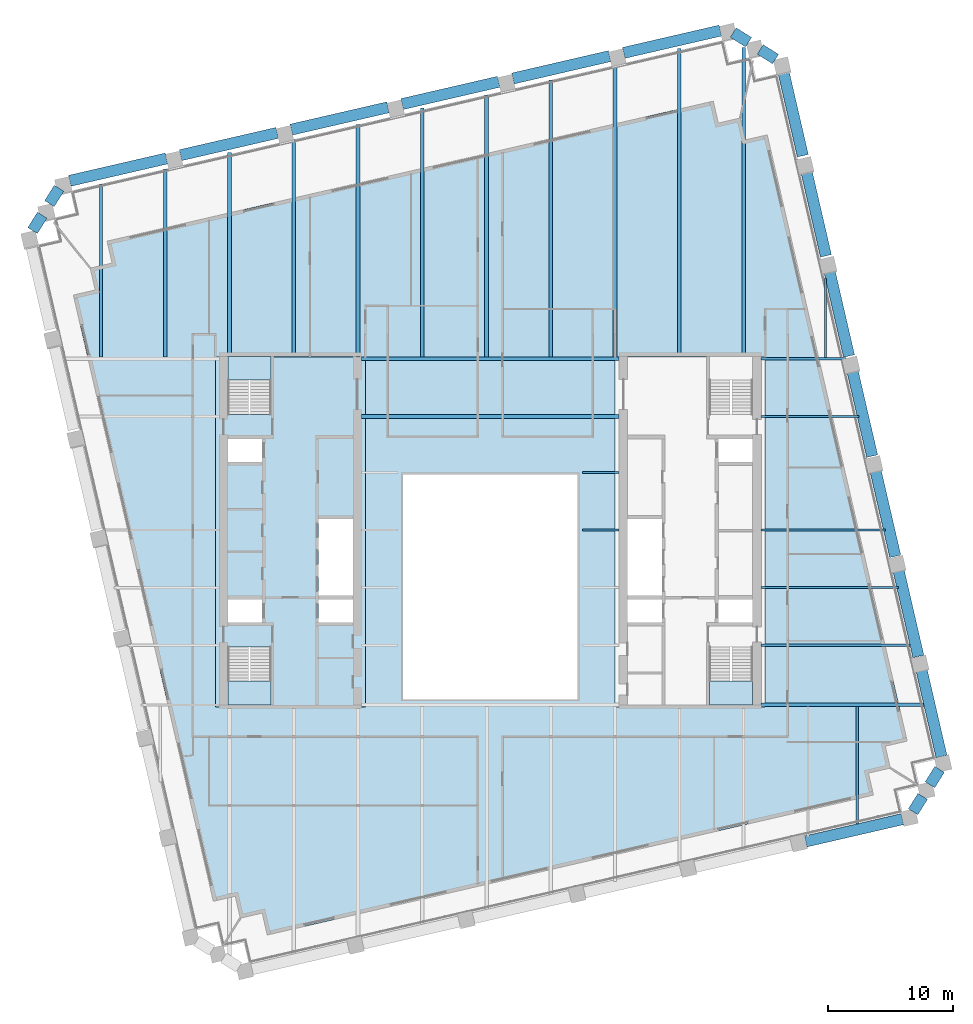
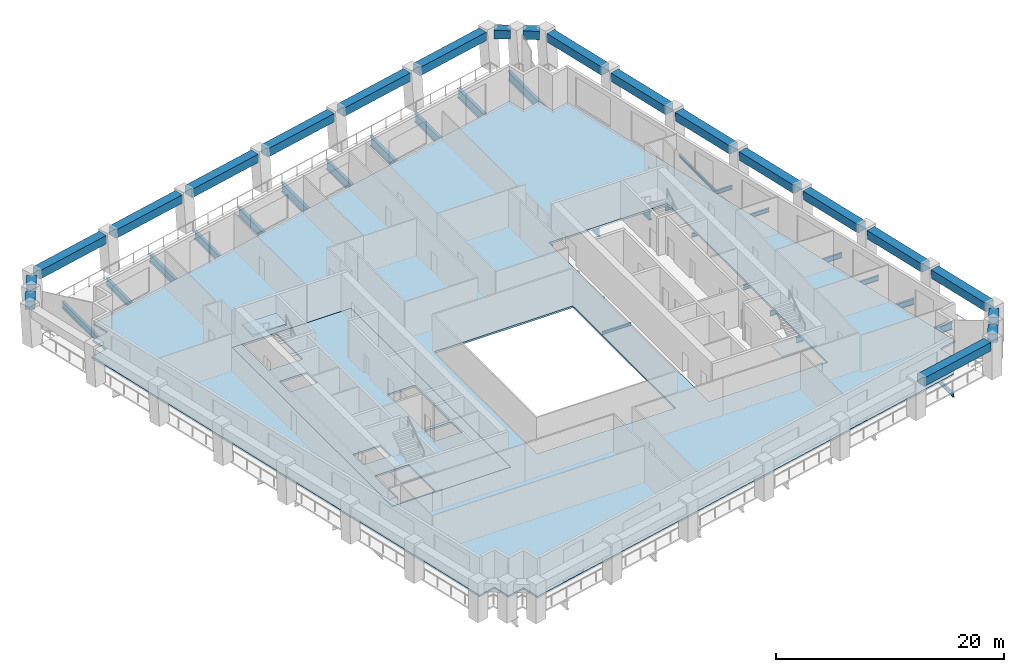
# One storey, part 2 of 10: 43 beams, 5 slabs, 3 elements without a shape of their own.
"""IFC4 building model written with IfcOpenShell, lengths in metres."""

from ifc_helpers import new_model, si_unit, direction, frame, origin, origin_2d, place, context, subcontext, project, spatial, polyline, rectangle, i_section, outline, extrude, material, layer, layer_set, material_profile, profile_set, type_object, element, aggregate, save


model = new_model("IFC4")

# Units and contexts
model_context = context("Model", 3, precision=1e-05, world=origin(), true_north=direction((0.0, 1.0)))
body_context = subcontext(model_context, "Body", "Model", "MODEL_VIEW")
ifc_project = project(units=[si_unit("LENGTHUNIT", "METRE"), si_unit("AREAUNIT", "SQUARE_METRE"), si_unit("VOLUMEUNIT", "CUBIC_METRE"), si_unit("PLANEANGLEUNIT", "RADIAN"), si_unit("MASSUNIT", "GRAM", prefix="KILO")], contexts=[model_context])

# Site, building, storey
site_placement = place(None, origin())
site = spatial("IfcSite", under=ifc_project, at=site_placement, CompositionType="ELEMENT")
building_placement = place(site_placement, origin())
building = spatial("IfcBuilding", under=site, at=building_placement, Name="Ogive Exchange Tower", CompositionType="ELEMENT")
storey_placement = place(building_placement, frame((0.0, 0.0, 196.800048828125)))
storey = spatial("IfcBuildingStorey", under=building, at=storey_placement, Name="L43", CompositionType="ELEMENT", Elevation=196.800048828125)

# Beams
ifc_material_1 = material(Name="Steel ASTM A992 Gr50", Category="steel")
ifc_material_profile_1 = material_profile(ifc_material_1, i_section(OverallWidth=0.300048828125, OverallDepth=0.969970703125, WebThickness=0.01611328125, FlangeThickness=0.02099609375, at=origin_2d()), Name="W1000x222")
ifc_profile_set_1 = profile_set([ifc_material_profile_1], Name="Steel ASTM A992 Gr50")
beam_type_1 = type_object("IfcBeamType", Name="Floor beam W1000x222", PredefinedType="JOIST", material=ifc_profile_set_1)
beam_1_placement = place(storey_placement, frame((-5.4384765625, 25.39501953125, -0.68505859375), z_axis=(0.0, 1.0, 0.0), x_axis=(-1.0, 0.0, 0.0)))
element("IfcBeam", 1, at=beam_1_placement, inside=storey, type_object=beam_type_1, Name="Floor beam", PredefinedType="JOIST", context=body_context, shape_type="SweptSolid", body=[
    extrude(i_section(OverallWidth=0.300048828125, OverallDepth=0.969970703125, WebThickness=0.01611328125, FlangeThickness=0.02099609375, at=origin_2d()), origin(), (0.0, 0.0, 1.0), 19.941162109375),
])
ifc_material_profile_2 = material_profile(ifc_material_1, i_section(OverallWidth=0.300048828125, OverallDepth=0.97998046875, WebThickness=0.0166015625, FlangeThickness=0.026123046875, at=origin_2d()), Name="W1000x249")
ifc_profile_set_2 = profile_set([ifc_material_profile_2], Name="Steel ASTM A992 Gr50")
beam_type_2 = type_object("IfcBeamType", Name="Floor beam W1000x249", PredefinedType="JOIST", material=ifc_profile_set_2)
beam_2_placement = place(storey_placement, frame((-10.320068359375, 20.62255859375, -0.68994140625), z_axis=(1.0, 0.0, 0.0), x_axis=(0.0, 1.0, 0.0)))
element("IfcBeam", 2, at=beam_2_placement, inside=storey, type_object=beam_type_2, Name="Floor beam", PredefinedType="JOIST", context=body_context, shape_type="SweptSolid", body=[
    extrude(i_section(OverallWidth=0.300048828125, OverallDepth=0.97998046875, WebThickness=0.0166015625, FlangeThickness=0.026123046875, at=origin_2d()), origin(), (0.0, 0.0, 1.0), 20.64013671875),
])
beam_3_placement = place(storey_placement, frame((-0.294921875, 25.39501953125, -0.68994140625), z_axis=(0.0, 1.0, 0.0), x_axis=(-1.0, 0.0, 0.0)))
element("IfcBeam", 3, at=beam_3_placement, inside=storey, type_object=beam_type_2, Name="Floor beam", PredefinedType="JOIST", context=body_context, shape_type="SweptSolid", body=[
    extrude(i_section(OverallWidth=0.300048828125, OverallDepth=0.97998046875, WebThickness=0.0166015625, FlangeThickness=0.026123046875, at=origin_2d()), origin(), (0.0, 0.0, 1.0), 20.978759765625),
])
beam_4_placement = place(storey_placement, frame((4.8486328125, 25.39501953125, -0.68994140625), z_axis=(0.0, 1.0, 0.0), x_axis=(-1.0, 0.0, 0.0)))
element("IfcBeam", 4, at=beam_4_placement, inside=storey, type_object=beam_type_2, Name="Floor beam", PredefinedType="JOIST", context=body_context, shape_type="SweptSolid", body=[
    extrude(i_section(OverallWidth=0.300048828125, OverallDepth=0.97998046875, WebThickness=0.0166015625, FlangeThickness=0.026123046875, at=origin_2d()), origin(), (0.0, 0.0, 1.0), 22.166259765625),
])
beam_5_placement = place(storey_placement, frame((9.9921875, 25.39501953125, -0.68994140625), z_axis=(0.0, 1.0, 0.0), x_axis=(-1.0, 0.0, 0.0)))
element("IfcBeam", 5, at=beam_5_placement, inside=storey, type_object=beam_type_2, Name="Floor beam", PredefinedType="JOIST", context=body_context, shape_type="SweptSolid", body=[
    extrude(i_section(OverallWidth=0.300048828125, OverallDepth=0.97998046875, WebThickness=0.0166015625, FlangeThickness=0.026123046875, at=origin_2d()), origin(), (0.0, 0.0, 1.0), 23.353515625),
])
beam_6_placement = place(storey_placement, frame((15.135498046875, 25.39990234375, -0.68994140625), z_axis=(0.0, 1.0, 0.0), x_axis=(-1.0, 0.0, 0.0)))
element("IfcBeam", 6, at=beam_6_placement, inside=storey, type_object=beam_type_2, Name="Floor beam", PredefinedType="JOIST", context=body_context, shape_type="SweptSolid", body=[
    extrude(i_section(OverallWidth=0.300048828125, OverallDepth=0.97998046875, WebThickness=0.0166015625, FlangeThickness=0.026123046875, at=origin_2d()), origin(), (0.0, 0.0, 1.0), 24.686279296875),
])
beam_7_placement = place(storey_placement, frame((20.279052734375, 25.39990234375, -0.68994140625), z_axis=(0.0, 1.0, 0.0), x_axis=(-1.0, 0.0, 0.0)))
element("IfcBeam", 7, at=beam_7_placement, inside=storey, type_object=beam_type_2, Name="Floor beam", PredefinedType="JOIST", context=body_context, shape_type="SweptSolid", body=[
    extrude(i_section(OverallWidth=0.300048828125, OverallDepth=0.97998046875, WebThickness=0.0166015625, FlangeThickness=0.026123046875, at=origin_2d()), origin(), (0.0, 0.0, 1.0), 24.76123046875),
])
ifc_material_profile_3 = material_profile(ifc_material_1, i_section(OverallWidth=0.1650390625, OverallDepth=0.31005859375, WebThickness=0.005859375, FlangeThickness=0.009765625, at=origin_2d()), Name="W310x38.7")
ifc_profile_set_3 = profile_set([ifc_material_profile_3], Name="Steel ASTM A992 Gr50")
beam_type_3 = type_object("IfcBeamType", Name="Floor beam W310x38.7", PredefinedType="JOIST", material=ifc_profile_set_3)
beam_8_placement = place(storey_placement, frame((7.3701171875, 11.543701171875, -0.35498046875), z_axis=(1.0, 0.0, 0.0), x_axis=(0.0, 1.0, 0.0)))
element("IfcBeam", 8, at=beam_8_placement, inside=storey, type_object=beam_type_3, Name="Floor beam", PredefinedType="JOIST", context=body_context, shape_type="SweptSolid", body=[
    extrude(i_section(OverallWidth=0.1650390625, OverallDepth=0.31005859375, WebThickness=0.005859375, FlangeThickness=0.009765625, at=origin_2d()), origin(), (0.0, 0.0, 1.0), 2.949951171875),
])
beam_9_placement = place(storey_placement, frame((26.822509765625, 25.333984375, -0.35498046875), z_axis=(0.0, 1.0, 0.0), x_axis=(-1.0, 0.0, 0.0)))
element("IfcBeam", 9, at=beam_9_placement, inside=storey, type_object=beam_type_3, Name="Floor beam", PredefinedType="JOIST", context=body_context, shape_type="SweptSolid", body=[
    extrude(i_section(OverallWidth=0.1650390625, OverallDepth=0.31005859375, WebThickness=0.005859375, FlangeThickness=0.009765625, at=origin_2d()), origin(), (0.0, 0.0, 1.0), 6.347900390625),
])
ifc_material_profile_4 = material_profile(ifc_material_1, i_section(OverallWidth=0.177978515625, OverallDepth=0.406005859375, WebThickness=0.0078125, FlangeThickness=0.0126953125, at=origin_2d()), Name="W410x60")
ifc_profile_set_4 = profile_set([ifc_material_profile_4], Name="Steel ASTM A992 Gr50")
beam_type_4 = type_object("IfcBeamType", Name="Floor beam W410x60", PredefinedType="JOIST", material=ifc_profile_set_4)
beam_10_placement = place(storey_placement, frame((21.679931640625, 20.62255859375, -0.403076171875), z_axis=(1.0, 0.0, 0.0), x_axis=(0.0, 1.0, 0.0)))
element("IfcBeam", 10, at=beam_10_placement, inside=storey, type_object=beam_type_4, Name="Floor beam", PredefinedType="JOIST", context=body_context, shape_type="SweptSolid", body=[
    extrude(i_section(OverallWidth=0.177978515625, OverallDepth=0.406005859375, WebThickness=0.0078125, FlangeThickness=0.0126953125, at=origin_2d()), origin(), (0.0, 0.0, 1.0), 7.845703125),
])
ifc_material_profile_5 = material_profile(ifc_material_1, i_section(OverallWidth=0.19091796875, OverallDepth=0.45703125, WebThickness=0.009033203125, FlangeThickness=0.014404296875, at=origin_2d()), Name="W460x74")
ifc_profile_set_5 = profile_set([ifc_material_profile_5], Name="Steel ASTM A992 Gr50")
beam_type_5 = type_object("IfcBeamType", Name="Floor beam W460x74", PredefinedType="JOIST", material=ifc_profile_set_5)
beam_11_placement = place(storey_placement, frame((29.365966796875, -11.97119140625, -0.428466796875), z_axis=(0.0, 1.0, 0.0), x_axis=(-1.0, 0.0, 0.0)))
element("IfcBeam", 11, at=beam_11_placement, inside=storey, type_object=beam_type_5, Name="Floor beam", PredefinedType="JOIST", context=body_context, shape_type="SweptSolid", body=[
    extrude(i_section(OverallWidth=0.19091796875, OverallDepth=0.45703125, WebThickness=0.009033203125, FlangeThickness=0.014404296875, at=origin_2d()), origin(), (0.0, 0.0, 1.0), 9.392578125),
])
ifc_material_profile_6 = material_profile(ifc_material_1, i_section(OverallWidth=0.1669921875, OverallDepth=0.535888671875, WebThickness=0.01025390625, FlangeThickness=0.0166015625, at=origin_2d()), Name="W530x85")
ifc_profile_set_6 = profile_set([ifc_material_profile_6], Name="Steel ASTM A992 Gr50")
beam_type_6 = type_object("IfcBeamType", Name="Floor beam W530x85", PredefinedType="JOIST", material=ifc_profile_set_6)
beam_12_placement = place(storey_placement, frame((21.679931640625, 6.9326171875, -0.468017578125), z_axis=(1.0, 0.0, 0.0), x_axis=(0.0, 1.0, 0.0)))
element("IfcBeam", 12, at=beam_12_placement, inside=storey, type_object=beam_type_6, Name="Floor beam", PredefinedType="JOIST", context=body_context, shape_type="SweptSolid", body=[
    extrude(i_section(OverallWidth=0.1669921875, OverallDepth=0.535888671875, WebThickness=0.01025390625, FlangeThickness=0.0166015625, at=origin_2d()), origin(), (0.0, 0.0, 1.0), 11.00634765625),
])
beam_13_placement = place(storey_placement, frame((21.679931640625, 11.543701171875, -0.468017578125), z_axis=(1.0, 0.0, 0.0), x_axis=(0.0, 1.0, 0.0)))
element("IfcBeam", 13, at=beam_13_placement, inside=storey, type_object=beam_type_6, Name="Floor beam", PredefinedType="JOIST", context=body_context, shape_type="SweptSolid", body=[
    extrude(i_section(OverallWidth=0.1669921875, OverallDepth=0.535888671875, WebThickness=0.01025390625, FlangeThickness=0.0166015625, at=origin_2d()), origin(), (0.0, 0.0, 1.0), 9.941650390625),
])
ifc_material_profile_7 = material_profile(ifc_material_1, i_section(OverallWidth=0.22802734375, OverallDepth=0.60205078125, WebThickness=0.010498046875, FlangeThickness=0.014892578125, at=origin_2d()), Name="W610x101")
ifc_profile_set_7 = profile_set([ifc_material_profile_7], Name="Steel ASTM A992 Gr50")
beam_type_7 = type_object("IfcBeamType", Name="Floor beam W610x101", PredefinedType="JOIST", material=ifc_profile_set_7)
beam_14_placement = place(storey_placement, frame((21.679931640625, 2.3212890625, -0.5009765625), z_axis=(1.0, 0.0, 0.0), x_axis=(0.0, 1.0, 0.0)))
element("IfcBeam", 14, at=beam_14_placement, inside=storey, type_object=beam_type_7, Name="Floor beam", PredefinedType="JOIST", context=body_context, shape_type="SweptSolid", body=[
    extrude(i_section(OverallWidth=0.22802734375, OverallDepth=0.60205078125, WebThickness=0.010498046875, FlangeThickness=0.014892578125, at=origin_2d()), origin(), (0.0, 0.0, 1.0), 11.9208984375),
])
ifc_material_profile_8 = material_profile(ifc_material_1, i_section(OverallWidth=0.25390625, OverallDepth=0.677978515625, WebThickness=0.01171875, FlangeThickness=0.016357421875, at=origin_2d()), Name="W690x125")
ifc_profile_set_8 = profile_set([ifc_material_profile_8], Name="Steel ASTM A992 Gr50")
beam_type_8 = type_object("IfcBeamType", Name="Floor beam W690x125", PredefinedType="JOIST", material=ifc_profile_set_8)
beam_15_placement = place(storey_placement, frame((-31.15576171875, 25.37841796875, -0.5390625), z_axis=(0.0, 1.0, 0.0), x_axis=(-1.0, 0.0, 0.0)))
element("IfcBeam", 15, at=beam_15_placement, inside=storey, type_object=beam_type_8, Name="Floor beam", PredefinedType="JOIST", context=body_context, shape_type="SweptSolid", body=[
    extrude(i_section(OverallWidth=0.25390625, OverallDepth=0.677978515625, WebThickness=0.01171875, FlangeThickness=0.016357421875, at=origin_2d()), origin(), (0.0, 0.0, 1.0), 13.870361328125),
])
ifc_material_profile_9 = material_profile(ifc_material_1, i_section(OverallWidth=0.26708984375, OverallDepth=0.75390625, WebThickness=0.01318359375, FlangeThickness=0.01708984375, at=origin_2d()), Name="W760x147")
ifc_profile_set_9 = profile_set([ifc_material_profile_9], Name="Steel ASTM A992 Gr50")
beam_type_9 = type_object("IfcBeamType", Name="Floor beam W760x147", PredefinedType="JOIST", material=ifc_profile_set_9)
beam_16_placement = place(storey_placement, frame((-26.01220703125, 25.37841796875, -0.5771484375), z_axis=(0.0, 1.0, 0.0), x_axis=(-1.0, 0.0, 0.0)))
element("IfcBeam", 16, at=beam_16_placement, inside=storey, type_object=beam_type_9, Name="Floor beam", PredefinedType="JOIST", context=body_context, shape_type="SweptSolid", body=[
    extrude(i_section(OverallWidth=0.26708984375, OverallDepth=0.75390625, WebThickness=0.01318359375, FlangeThickness=0.01708984375, at=origin_2d()), origin(), (0.0, 0.0, 1.0), 15.057861328125),
])
ifc_material_profile_10 = material_profile(ifc_material_1, i_section(OverallWidth=0.2919921875, OverallDepth=0.8359375, WebThickness=0.013916015625, FlangeThickness=0.018798828125, at=origin_2d()), Name="W840x176")
ifc_profile_set_10 = profile_set([ifc_material_profile_10], Name="Steel ASTM A992 Gr50")
beam_type_10 = type_object("IfcBeamType", Name="Floor beam W840x176", PredefinedType="JOIST", material=ifc_profile_set_10)
beam_17_placement = place(storey_placement, frame((-20.868896484375, 25.39990234375, -0.6181640625), z_axis=(0.0, 1.0, 0.0), x_axis=(-1.0, 0.0, 0.0)))
element("IfcBeam", 17, at=beam_17_placement, inside=storey, type_object=beam_type_10, Name="Floor beam", PredefinedType="JOIST", context=body_context, shape_type="SweptSolid", body=[
    extrude(i_section(OverallWidth=0.2919921875, OverallDepth=0.8359375, WebThickness=0.013916015625, FlangeThickness=0.018798828125, at=origin_2d()), origin(), (0.0, 0.0, 1.0), 16.373779296875),
])
beam_18_placement = place(storey_placement, frame((-15.725341796875, 25.39990234375, -0.6181640625), z_axis=(0.0, 1.0, 0.0), x_axis=(-1.0, 0.0, 0.0)))
element("IfcBeam", 18, at=beam_18_placement, inside=storey, type_object=beam_type_10, Name="Floor beam", PredefinedType="JOIST", context=body_context, shape_type="SweptSolid", body=[
    extrude(i_section(OverallWidth=0.2919921875, OverallDepth=0.8359375, WebThickness=0.013916015625, FlangeThickness=0.018798828125, at=origin_2d()), origin(), (0.0, 0.0, 1.0), 17.411376953125),
])
ifc_material_profile_11 = material_profile(ifc_material_1, i_section(OverallWidth=0.304931640625, OverallDepth=0.904052734375, WebThickness=0.01513671875, FlangeThickness=0.02001953125, at=origin_2d()), Name="W920x201")
ifc_profile_set_11 = profile_set([ifc_material_profile_11], Name="Steel ASTM A992 Gr50")
beam_type_11 = type_object("IfcBeamType", Name="Floor beam W920x201", PredefinedType="JOIST", material=ifc_profile_set_11)
beam_19_placement = place(storey_placement, frame((-10.581787109375, 25.39990234375, -0.652099609375), z_axis=(0.0, 1.0, 0.0), x_axis=(-1.0, 0.0, 0.0)))
element("IfcBeam", 19, at=beam_19_placement, inside=storey, type_object=beam_type_11, Name="Floor beam", PredefinedType="JOIST", context=body_context, shape_type="SweptSolid", body=[
    extrude(i_section(OverallWidth=0.304931640625, OverallDepth=0.904052734375, WebThickness=0.01513671875, FlangeThickness=0.02001953125, at=origin_2d()), origin(), (0.0, 0.0, 1.0), 18.598876953125),
])
ifc_material_profile_12 = material_profile(ifc_material_1, i_section(OverallWidth=0.300048828125, OverallDepth=0.97998046875, WebThickness=0.0166015625, FlangeThickness=0.026123046875, at=origin_2d()), Name="W1000x249")
ifc_profile_set_12 = profile_set([ifc_material_profile_12], Name="Steel ASTM A992 Gr50")
beam_type_12 = type_object("IfcBeamType", Name="Girder W1000x249", PredefinedType="BEAM", material=ifc_profile_set_12)
beam_20_placement = place(storey_placement, frame((-10.320068359375, 25.2451171875, -0.68994140625), z_axis=(1.0, 0.0, 0.0), x_axis=(0.0, 1.0, 0.0)))
element("IfcBeam", 20, at=beam_20_placement, inside=storey, type_object=beam_type_12, Name="Header girder", PredefinedType="BEAM", context=body_context, shape_type="SweptSolid", body=[
    extrude(i_section(OverallWidth=0.300048828125, OverallDepth=0.97998046875, WebThickness=0.0166015625, FlangeThickness=0.026123046875, at=origin_2d()), origin(), (0.0, 0.0, 1.0), 20.64013671875),
])
ifc_material_profile_13 = material_profile(ifc_material_1, i_section(OverallWidth=0.1650390625, OverallDepth=0.31005859375, WebThickness=0.005859375, FlangeThickness=0.009765625, at=origin_2d()), Name="W310x38.7")
ifc_profile_set_13 = profile_set([ifc_material_profile_13], Name="Steel ASTM A992 Gr50")
beam_type_13 = type_object("IfcBeamType", Name="Girder W310x38.7", PredefinedType="BEAM", material=ifc_profile_set_13)
beam_21_placement = place(storey_placement, frame((7.3701171875, 16.155029296875, -0.35498046875), z_axis=(1.0, 0.0, 0.0), x_axis=(0.0, 1.0, 0.0)))
element("IfcBeam", 21, at=beam_21_placement, inside=storey, type_object=beam_type_13, Name="Trimmer girder", PredefinedType="BEAM", context=body_context, shape_type="SweptSolid", body=[
    extrude(i_section(OverallWidth=0.1650390625, OverallDepth=0.31005859375, WebThickness=0.005859375, FlangeThickness=0.009765625, at=origin_2d()), origin(), (0.0, 0.0, 1.0), 2.949951171875),
])
ifc_material_profile_14 = material_profile(ifc_material_1, i_section(OverallWidth=0.177978515625, OverallDepth=0.406005859375, WebThickness=0.0078125, FlangeThickness=0.0126953125, at=origin_2d()), Name="W410x60")
ifc_profile_set_14 = profile_set([ifc_material_profile_14], Name="Steel ASTM A992 Gr50")
beam_type_14 = type_object("IfcBeamType", Name="Girder W410x60", PredefinedType="BEAM", material=ifc_profile_set_14)
beam_22_placement = place(storey_placement, frame((21.679931640625, 25.2451171875, -0.403076171875), z_axis=(1.0, 0.0, 0.0), x_axis=(0.0, 1.0, 0.0)))
element("IfcBeam", 22, at=beam_22_placement, inside=storey, type_object=beam_type_14, Name="Header girder", PredefinedType="BEAM", context=body_context, shape_type="SweptSolid", body=[
    extrude(i_section(OverallWidth=0.177978515625, OverallDepth=0.406005859375, WebThickness=0.0078125, FlangeThickness=0.0126953125, at=origin_2d()), origin(), (0.0, 0.0, 1.0), 6.778564453125),
])
ifc_material_profile_15 = material_profile(ifc_material_1, i_section(OverallWidth=0.26708984375, OverallDepth=0.75390625, WebThickness=0.01318359375, FlangeThickness=0.01708984375, at=origin_2d()), Name="W760x147")
ifc_profile_set_15 = profile_set([ifc_material_profile_15], Name="Steel ASTM A992 Gr50")
beam_type_15 = type_object("IfcBeamType", Name="Girder W760x147", PredefinedType="BEAM", material=ifc_profile_set_15)
beam_23_placement = place(storey_placement, frame((21.679931640625, -2.445068359375, -0.5771484375), z_axis=(1.0, 0.0, 0.0), x_axis=(0.0, 1.0, 0.0)))
element("IfcBeam", 23, at=beam_23_placement, inside=storey, type_object=beam_type_15, Name="Header girder", PredefinedType="BEAM", context=body_context, shape_type="SweptSolid", body=[
    extrude(i_section(OverallWidth=0.26708984375, OverallDepth=0.75390625, WebThickness=0.01318359375, FlangeThickness=0.01708984375, at=origin_2d()), origin(), (0.0, 0.0, 1.0), 13.021484375),
])
ifc_material_2 = material(Name="Precast concrete C70/85 (limestone faced)", Category="masonry")
ifc_material_profile_16 = material_profile(ifc_material_2, rectangle(XDim=0.89990234375, YDim=0.89990234375, at=origin_2d()), Name="900 x 900")
ifc_profile_set_16 = profile_set([ifc_material_profile_16], Name="Precast concrete C70/85 (limestone faced)")
beam_type_16 = type_object("IfcBeamType", Name="Precast spandrel 900 x 900 C70/85", PredefinedType="SPANDREL", material=ifc_profile_set_16)
beam_24_placement = place(storey_placement, frame((25.249755859375, -13.383544921875, 3.5), z_axis=(0.974368388194, 0.224958316335, 0.0), x_axis=(-0.224958316335, 0.974368388194, 0.0)))
element("IfcBeam", 24, at=beam_24_placement, inside=storey, type_object=beam_type_16, Name="Spandrel 6", PredefinedType="SPANDREL", context=body_context, shape_type="SweptSolid", body=[
    extrude(rectangle(XDim=0.89990234375, YDim=0.89990234375, at=origin_2d()), origin(), (0.0, 0.0, 1.0), 7.93994140625),
])
for number, where, z_axis, x_axis, name in (
    (25, (33.842041015625, -11.001708984375, 3.5), (0.529877740036, 0.848074041941, 0.0), (-0.848074041941, 0.529877740036, 0.0), "Spandrel 7"),
    (26, (35.19091796875, -8.843017578125, 3.5), (0.529877740036, 0.848074041941, 0.0), (-0.848074041941, 0.529877740036, 0.0), "Spandrel 8"),
):
    element("IfcBeam", number, at=place(storey_placement, frame(where, z_axis=z_axis, x_axis=x_axis)), inside=storey, type_object=beam_type_16, Name=name, PredefinedType="SPANDREL", context=body_context, shape_type="SweptSolid", body=[
        extrude(rectangle(XDim=0.89990234375, YDim=0.89990234375, at=origin_2d()), origin(), (0.0, 0.0, 1.0), 1.448486328125),
    ])
for number, where, z_axis, x_axis, name in (
    (27, (36.11865234375, -6.584228515625, 3.5), (-0.224925123797, 0.97437605096, 0.0), (-0.97437605096, -0.224925123797, 0.0), "Spandrel 9"),
    (28, (34.2685546875, 1.429931640625, 3.5), (-0.224957931198, 0.974368477113, 0.0), (-0.974368477113, -0.224957931198, 0.0), "Spandrel 10"),
):
    element("IfcBeam", number, at=place(storey_placement, frame(where, z_axis=z_axis, x_axis=x_axis)), inside=storey, type_object=beam_type_16, Name=name, PredefinedType="SPANDREL", context=body_context, shape_type="SweptSolid", body=[
        extrude(rectangle(XDim=0.89990234375, YDim=0.89990234375, at=origin_2d()), origin(), (0.0, 0.0, 1.0), 7.065185546875),
    ])
beam_25_placement = place(storey_placement, frame((32.418212890625, 9.444091796875, 3.5), z_axis=(-0.224932697399, 0.974374302638, 0.0), x_axis=(-0.974374302638, -0.224932697399, 0.0)))
element("IfcBeam", 29, at=beam_25_placement, inside=storey, type_object=beam_type_16, Name="Spandrel 11", PredefinedType="SPANDREL", context=body_context, shape_type="SweptSolid", body=[
    extrude(rectangle(XDim=0.89990234375, YDim=0.89990234375, at=origin_2d()), origin(), (0.0, 0.0, 1.0), 7.06494140625),
])
for number, where, z_axis, x_axis, name in (
    (30, (30.568115234375, 17.458251953125, 3.5), (-0.224957931198, 0.974368477113, 0.0), (-0.974368477113, -0.224957931198, 0.0), "Spandrel 12"),
    (31, (28.718017578125, 25.472412109375, 3.5), (-0.224957931198, 0.974368477113, 0.0), (-0.974368477113, -0.224957931198, 0.0), "Spandrel 13"),
    (32, (26.86767578125, 33.486572265625, 3.5), (-0.224957931198, 0.974368477113, 0.0), (-0.974368477113, -0.224957931198, 0.0), "Spandrel 14"),
    (33, (25.017333984375, 41.500732421875, 3.5), (-0.224925123797, 0.97437605096, 0.0), (-0.97437605096, -0.224925123797, 0.0), "Spandrel 15"),
):
    element("IfcBeam", number, at=place(storey_placement, frame(where, z_axis=z_axis, x_axis=x_axis)), inside=storey, type_object=beam_type_16, Name=name, PredefinedType="SPANDREL", context=body_context, shape_type="SweptSolid", body=[
        extrude(rectangle(XDim=0.89990234375, YDim=0.89990234375, at=origin_2d()), origin(), (0.0, 0.0, 1.0), 7.065185546875),
    ])
for number, where, z_axis, x_axis, name in (
    (34, (22.83251953125, 49.240478515625, 3.5), (-0.848074041941, 0.529877740036, 0.0), (-0.529877740036, -0.848074041941, 0.0), "Spandrel 16"),
    (35, (20.673583984375, 50.589599609375, 3.5), (-0.848026711821, 0.529953484787, 0.0), (-0.529953484787, -0.848026711821, 0.0), "Spandrel 17"),
):
    element("IfcBeam", number, at=place(storey_placement, frame(where, z_axis=z_axis, x_axis=x_axis)), inside=storey, type_object=beam_type_16, Name=name, PredefinedType="SPANDREL", context=body_context, shape_type="SweptSolid", body=[
        extrude(rectangle(XDim=0.89990234375, YDim=0.89990234375, at=origin_2d()), origin(), (0.0, 0.0, 1.0), 1.448486328125),
    ])
beam_26_placement = place(storey_placement, frame((18.4150390625, 51.517333984375, 3.5), z_axis=(-0.974369944206, -0.224951576629, 0.0), x_axis=(0.224951576629, -0.974369944206, 0.0)))
element("IfcBeam", 36, at=beam_26_placement, inside=storey, type_object=beam_type_16, Name="Spandrel 18", PredefinedType="SPANDREL", context=body_context, shape_type="SweptSolid", body=[
    extrude(rectangle(XDim=0.89990234375, YDim=0.89990234375, at=origin_2d()), origin(), (0.0, 0.0, 1.0), 7.940185546875),
])
beam_27_placement = place(storey_placement, frame((9.548095703125, 49.47021484375, 3.5), z_axis=(-0.974368388194, -0.224958316335, 0.0), x_axis=(0.224958316335, -0.974368388194, 0.0)))
element("IfcBeam", 37, at=beam_27_placement, inside=storey, type_object=beam_type_16, Name="Spandrel 19", PredefinedType="SPANDREL", context=body_context, shape_type="SweptSolid", body=[
    extrude(rectangle(XDim=0.89990234375, YDim=0.89990234375, at=origin_2d()), origin(), (0.0, 0.0, 1.0), 7.93994140625),
])
beam_28_placement = place(storey_placement, frame((0.681396484375, 47.423095703125, 3.5), z_axis=(-0.974375127705, -0.224929123301, 0.0), x_axis=(0.224929123301, -0.974375127705, 0.0)))
element("IfcBeam", 38, at=beam_28_placement, inside=storey, type_object=beam_type_16, Name="Spandrel 20", PredefinedType="SPANDREL", context=body_context, shape_type="SweptSolid", body=[
    extrude(rectangle(XDim=0.89990234375, YDim=0.89990234375, at=origin_2d()), origin(), (0.0, 0.0, 1.0), 7.939697265625),
])
for number, where, z_axis, x_axis, name in (
    (39, (-8.185302734375, 45.376220703125, 3.5), (-0.974369944206, -0.224951576629, 0.0), (0.224951576629, -0.974369944206, 0.0), "Spandrel 21"),
    (40, (-17.052001953125, 43.3291015625, 3.5), (-0.974369944206, -0.224951576629, 0.0), (0.224951576629, -0.974369944206, 0.0), "Spandrel 22"),
    (41, (-25.918701171875, 41.281982421875, 3.5), (-0.974369944206, -0.224951576629, 0.0), (0.224951576629, -0.974369944206, 0.0), "Spandrel 23"),
):
    element("IfcBeam", number, at=place(storey_placement, frame(where, z_axis=z_axis, x_axis=x_axis)), inside=storey, type_object=beam_type_16, Name=name, PredefinedType="SPANDREL", context=body_context, shape_type="SweptSolid", body=[
        extrude(rectangle(XDim=0.89990234375, YDim=0.89990234375, at=origin_2d()), origin(), (0.0, 0.0, 1.0), 7.940185546875),
    ])
for number, where, z_axis, x_axis, name in (
    (42, (-34.510986328125, 38.900146484375, 3.5), (-0.530074688545, -0.847950956461, 0.0), (0.847950956461, -0.530074688545, 0.0), "Spandrel 24"),
    (43, (-35.860107421875, 36.741455078125, 3.5), (-0.529877740036, -0.848074041941, 0.0), (0.848074041941, -0.529877740036, 0.0), "Spandrel 25"),
):
    element("IfcBeam", number, at=place(storey_placement, frame(where, z_axis=z_axis, x_axis=x_axis)), inside=storey, type_object=beam_type_16, Name=name, PredefinedType="SPANDREL", context=body_context, shape_type="SweptSolid", body=[
        extrude(rectangle(XDim=0.89990234375, YDim=0.89990234375, at=origin_2d()), origin(), (0.0, 0.0, 1.0), 1.448486328125),
    ])

# Slabs
ifc_material_3 = material(Name="Concrete C50/60", Category="concrete")
ifc_layer_1 = layer(ifc_material_3, 0.199951171875)
ifc_layer_set_1 = layer_set([ifc_layer_1], Name="Composite floor slab 200")
slab_type_1 = type_object("IfcSlabType", Name="Composite floor slab 200", PredefinedType="FLOOR", material=ifc_layer_set_1)
slab_1_placement = place(storey_placement, frame((0.0, 0.0, -0.199951171875)))
element("IfcSlab", 44, at=slab_1_placement, inside=storey, type_object=slab_type_1, Name="Composite floor slab", PredefinedType="FLOOR", context=body_context, shape_type="SweptSolid", body=[
    extrude(outline(polyline([(-18.255615234375, -19.116943359375), (-20.009521484375, -19.52197265625), (-20.414306640625, -17.76806640625), (-22.168212890625, -18.1728515625), (-33.370849609375, 30.3505859375), (-31.616943359375, 30.755615234375), (-32.02197265625, 32.509521484375), (-30.26806640625, 32.914306640625), (-30.6728515625, 34.668212890625), (17.8505859375, 45.870849609375), (18.255615234375, 44.116943359375), (20.009521484375, 44.52197265625), (20.414306640625, 42.76806640625), (22.168212890625, 43.1728515625), (33.370849609375, -5.3505859375), (31.616943359375, -5.755615234375), (32.02197265625, -7.509521484375), (30.26806640625, -7.914306640625), (30.6728515625, -9.668212890625), (-17.8505859375, -20.870849609375), (-18.255615234375, -19.116943359375)]), holes=[polyline([(7.0, -2.0), (7.0, 16.0), (-7.0, 16.0), (-7.0, -2.0), (7.0, -2.0)]), polyline([(-22.0, -2.60009765625), (-10.0, -2.60009765625), (-10.0, 25.39990234375), (-22.0, 25.39990234375), (-22.0, -2.60009765625)]), polyline([(10.0, -2.60009765625), (22.0, -2.60009765625), (22.0, 25.39990234375), (10.0, 25.39990234375), (10.0, -2.60009765625)])]), origin(), (0.0, 0.0, 1.0), 0.199951171875),
])
ifc_material_4 = material(Name="Concrete C70/85", Category="concrete")
ifc_layer_2 = layer(ifc_material_4, 0.199951171875)
ifc_layer_set_2 = layer_set([ifc_layer_2], Name="Core floor slab 200")
slab_type_2 = type_object("IfcSlabType", Name="Core floor slab 200", PredefinedType="FLOOR", material=ifc_layer_set_2)
slab_2_placement = place(storey_placement, frame((0.0, 0.0, -0.199951171875)))
element("IfcSlab", 45, at=slab_2_placement, inside=storey, type_object=slab_type_2, Name="Core floor slab", PredefinedType="FLOOR", context=body_context, shape_type="SweptSolid", body=[
    extrude(outline(polyline([(-10.0, 25.39990234375), (-10.0, -2.60009765625), (-22.0, -2.60009765625), (-22.0, 25.39990234375), (-21.0, 25.39990234375), (-21.0, 20.803955078125), (-17.550048828125, 20.803955078125), (-17.550048828125, 25.39990234375), (-10.0, 25.39990234375)]), holes=[polyline([(-17.550048828125, 2.196044921875), (-21.0, 2.196044921875), (-21.0, -2.449951171875), (-17.550048828125, -2.449951171875), (-17.550048828125, 2.196044921875)]), polyline([(-18.25, 5.992919921875), (-21.0, 5.992919921875), (-21.0, 4.14990234375), (-18.25, 4.14990234375), (-18.25, 5.992919921875)]), polyline([(-11.0, 5.992919921875), (-13.75, 5.992919921875), (-13.75, 4.14990234375), (-11.0, 4.14990234375), (-11.0, 5.992919921875)]), polyline([(-13.75, 12.42138671875), (-13.75, 6.29296875), (-11.0, 6.29296875), (-11.0, 12.42138671875), (-13.75, 12.42138671875)]), polyline([(-18.25, 18.85009765625), (-21.0, 18.85009765625), (-21.0, 17.007080078125), (-18.25, 17.007080078125), (-18.25, 18.85009765625)])]), origin(), (0.0, 0.0, 1.0), 0.199951171875),
])

# Stair, slab
ifc_material_5 = material(Name="Concrete C40/50", Category="concrete")
stair_type = type_object("IfcStairType", Name="Exit stair 1650 wide", PredefinedType="HALF_TURN_STAIR", material=ifc_material_5)
stair_1_placement = place(storey_placement, origin())
stair_1 = element("IfcStair", 46, at=stair_1_placement, inside=storey, type_object=stair_type, Name="L43 exit stair ST1", PredefinedType="HALF_TURN_STAIR")
ifc_layer_3 = layer(ifc_material_5, 0.199951171875)
ifc_layer_set_3 = layer_set([ifc_layer_3], Name="Stair landing 200 slab")
slab_type_3 = type_object("IfcSlabType", Name="Stair landing 200 slab", PredefinedType="LANDING", material=ifc_layer_set_3)
slab_3_placement = place(storey_placement, frame((0.0, 0.0, 1.89990234375)))
slab_3 = element("IfcSlab", 47, at=slab_3_placement, type_object=slab_type_3, Name="ST1 landing 1", PredefinedType="LANDING", context=body_context, shape_type="SweptSolid", body=[
    extrude(outline(polyline([(-21.0, -0.550048828125), (-21.0, -2.449951171875), (-17.550048828125, -2.449951171875), (-17.550048828125, -0.550048828125), (-21.0, -0.550048828125)])), origin(), (0.0, 0.0, 1.0), 0.199951171875),
])
aggregate(stair_1, [slab_3])

stair_2_placement = place(storey_placement, origin())
stair_2 = element("IfcStair", 48, at=stair_2_placement, inside=storey, type_object=stair_type, Name="L43 exit stair ST2", PredefinedType="HALF_TURN_STAIR")
slab_4_placement = place(storey_placement, frame((0.0, 0.0, 1.89990234375)))
slab_4 = element("IfcSlab", 49, at=slab_4_placement, type_object=slab_type_3, Name="ST2 landing 1", PredefinedType="LANDING", context=body_context, shape_type="SweptSolid", body=[
    extrude(outline(polyline([(-17.550048828125, 23.550048828125), (-17.550048828125, 25.449951171875), (-21.0, 25.449951171875), (-21.0, 23.550048828125), (-17.550048828125, 23.550048828125)])), origin(), (0.0, 0.0, 1.0), 0.199951171875),
])
aggregate(stair_2, [slab_4])

stair_3_placement = place(storey_placement, origin())
stair_3 = element("IfcStair", 50, at=stair_3_placement, inside=storey, type_object=stair_type, Name="L43 exit stair ST3", PredefinedType="HALF_TURN_STAIR")
slab_5_placement = place(storey_placement, frame((0.0, 0.0, 1.89990234375)))
slab_5 = element("IfcSlab", 51, at=slab_5_placement, type_object=slab_type_3, Name="ST3 landing 1", PredefinedType="LANDING", context=body_context, shape_type="SweptSolid", body=[
    extrude(outline(polyline([(17.550048828125, -0.550048828125), (17.550048828125, -2.449951171875), (21.0, -2.449951171875), (21.0, -0.550048828125), (17.550048828125, -0.550048828125)])), origin(), (0.0, 0.0, 1.0), 0.199951171875),
])
aggregate(stair_3, [slab_5])

save(model, "model.ifc")
